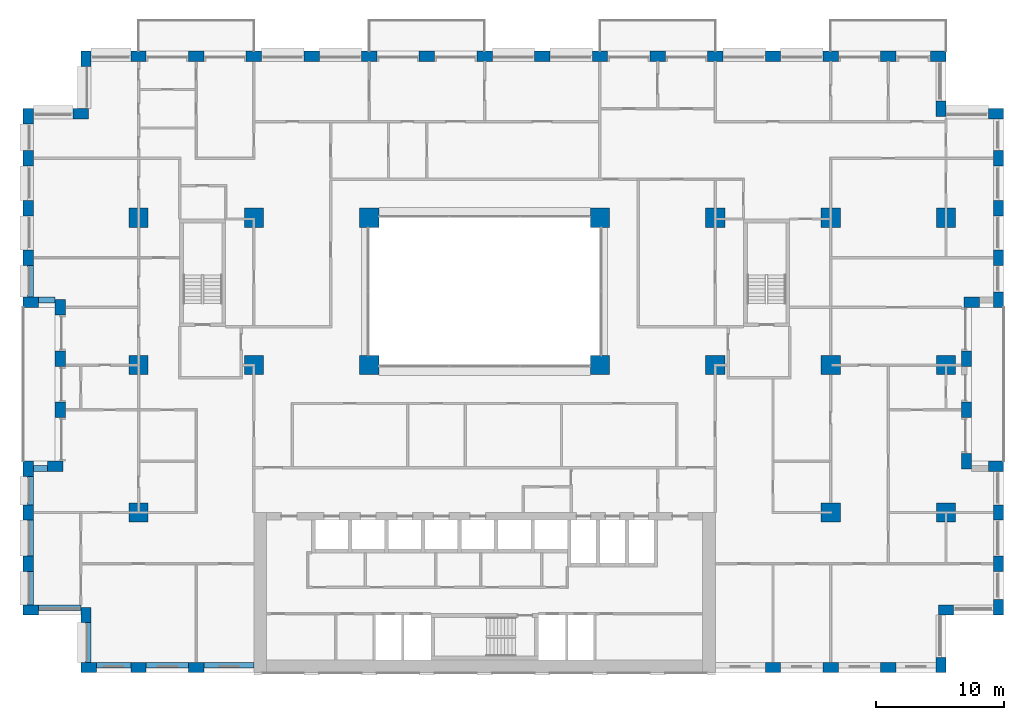
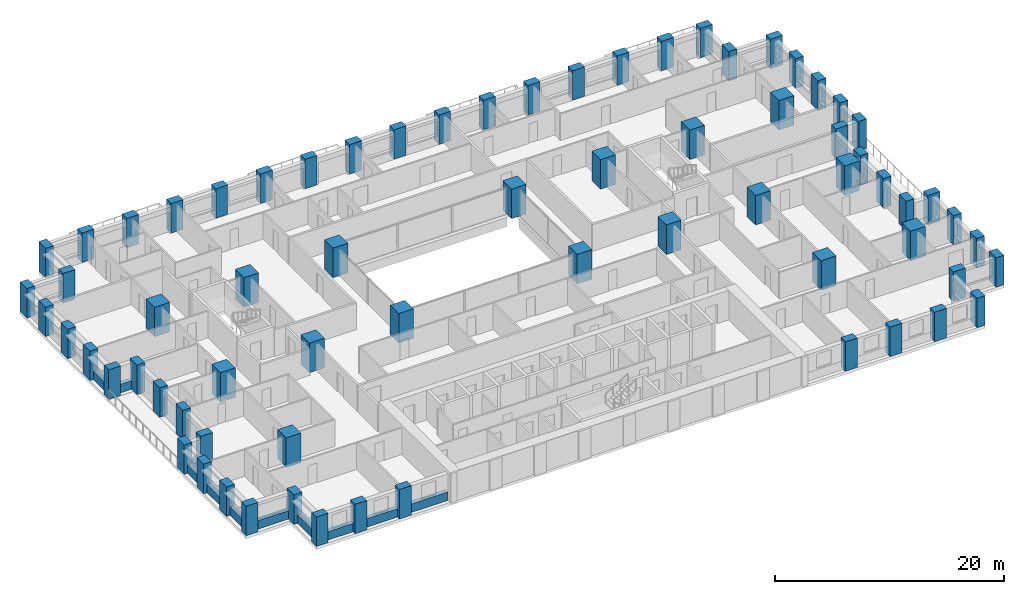
# One storey, part 1 of 20: 70 columns, 11 beams.
"""IFC4 building model written with IfcOpenShell, lengths in metres."""

from ifc_helpers import new_model, si_unit, direction, frame, origin, origin_2d, place, context, subcontext, project, spatial, rectangle, extrude, material, material_profile, profile_set, type_object, element, save


model = new_model("IFC4")

# Units and contexts
model_context = context("Model", 3, precision=1e-05, world=origin(), true_north=direction((0.0, 1.0)))
body_context = subcontext(model_context, "Body", "Model", "MODEL_VIEW")
ifc_project = project(units=[si_unit("LENGTHUNIT", "METRE"), si_unit("AREAUNIT", "SQUARE_METRE"), si_unit("VOLUMEUNIT", "CUBIC_METRE"), si_unit("PLANEANGLEUNIT", "RADIAN"), si_unit("MASSUNIT", "GRAM", prefix="KILO")], contexts=[model_context])

# Site, building, storey
site_placement = place(None, origin())
site = spatial("IfcSite", under=ifc_project, at=site_placement, CompositionType="ELEMENT")
building_placement = place(site_placement, origin())
building = spatial("IfcBuilding", under=site, at=building_placement, Name="Brigalow Station Residences", CompositionType="ELEMENT")
storey_placement = place(building_placement, frame((0.0, 0.0, 66.75)))
storey = spatial("IfcBuildingStorey", under=building, at=storey_placement, Name="L19", CompositionType="ELEMENT", Elevation=66.75)

# Columns
ifc_material_1 = material(Name="Concrete C80", Category="concrete")
ifc_material_profile_1 = material_profile(ifc_material_1, rectangle(XDim=1.5, YDim=1.5, at=origin_2d()), Name="RC1500x1500")
ifc_profile_set_1 = profile_set([ifc_material_profile_1], Name="Concrete C80")
column_type_1 = type_object("IfcColumnType", Name="COLUMN 1500x1500 C80", PredefinedType="COLUMN", material=ifc_profile_set_1)
for number, where, z_axis, x_axis, name in (
    (1, (9.0, 24.0, 0.0), (0.0, 0.0, 1.0), (1.0, 0.0, 0.0), "COLUMN C1 L19"),
    (2, (18.0, 24.0, 0.0), (0.0, 0.0, 1.0), (1.0, 0.0, 0.0), "COLUMN C2 L19"),
    (3, (27.0, 24.0, 0.0), (0.0, 0.0, 1.0), (1.0, 0.0, 0.0), "COLUMN C3 L19"),
    (4, (45.0, 24.0, 0.0), (0.0, 0.0, 1.0), (1.0, 0.0, 0.0), "COLUMN C5 L19"),
    (5, (54.0, 24.0, 0.0), (0.0, 0.0, 1.0), (1.0, 0.0, 0.0), "COLUMN C6 L19"),
    (6, (63.0, 24.0, 0.0), (0.0, 0.0, 1.0), (1.0, 0.0, 0.0), "COLUMN C7 L19"),
    (7, (72.0, 24.0, 0.0), (0.0, 0.0, 1.0), (1.0, 0.0, 0.0), "COLUMN C8 L19"),
    (8, (9.0, 35.5, 0.0), (0.0, 0.0, 1.0), (1.0, 0.0, 0.0), "COLUMN D1 L19"),
    (9, (18.0, 35.5, 0.0), (0.0, 0.0, 1.0), (1.0, 0.0, 0.0), "COLUMN D2 L19"),
    (10, (27.0, 35.5, 0.0), (0.0, 0.0, 1.0), (1.0, 0.0, 0.0), "COLUMN D3 L19"),
    (11, (45.0, 35.5, 0.0), (0.0, 0.0, 1.0), (1.0, 0.0, 0.0), "COLUMN D5 L19"),
    (12, (54.0, 35.5, 0.0), (0.0, 0.0, 1.0), (1.0, 0.0, 0.0), "COLUMN D6 L19"),
    (13, (63.0, 35.5, 0.0), (0.0, 0.0, 1.0), (1.0, 0.0, 0.0), "COLUMN D7 L19"),
    (14, (72.0, 35.5, 0.0), (0.0, 0.0, 1.0), (1.0, 0.0, 0.0), "COLUMN D8 L19"),
    (15, (9.0, 12.5, 0.0), (0.0, 0.0, 1.0), (1.0, 0.0, 0.0), "COLUMN B1 L19"),
    (16, (63.0, 12.5, 0.0), (0.0, 0.0, 1.0), (1.0, 0.0, 0.0), "COLUMN B7 L19"),
    (17, (72.0, 12.5, 0.0), (0.0, 0.0, 1.0), (1.0, 0.0, 0.0), "COLUMN B8 L19"),
):
    element("IfcColumn", number, at=place(storey_placement, frame(where, z_axis=z_axis, x_axis=x_axis)), inside=storey, type_object=column_type_1, Name=name, PredefinedType="COLUMN", context=body_context, shape_type="SweptSolid", body=[
        extrude(rectangle(XDim=1.5, YDim=1.5, at=origin_2d()), origin(), (0.0, 0.0, 1.0), 3.14990234375),
    ])
ifc_material_2 = material(Name="Concrete C80", Category="concrete")
ifc_material_profile_2 = material_profile(ifc_material_2, rectangle(XDim=1.199951171875, YDim=0.800048828125, at=origin_2d()), Name="RC1200x800")
ifc_profile_set_2 = profile_set([ifc_material_profile_2], Name="Concrete C80")
column_type_2 = type_object("IfcColumnType", Name="PIER 1200x800 C80", PredefinedType="USERDEFINED", material=ifc_profile_set_2)
for number, where, z_axis, x_axis, name in (
    (18, (5.10009765625, 0.39990234375, 0.0), (0.0, 0.0, 1.0), (1.0, 0.0, 0.0), "PIER S-1 L19"),
    (19, (9.0, 0.39990234375, 0.0), (0.0, 0.0, 1.0), (1.0, 0.0, 0.0), "PIER S-2 L19"),
    (20, (13.5, 0.39990234375, 0.0), (0.0, 0.0, 1.0), (1.0, 0.0, 0.0), "PIER S-3 L19"),
    (21, (58.5, 0.39990234375, 0.0), (0.0, 0.0, 1.0), (1.0, 0.0, 0.0), "PIER S-13 L19"),
    (22, (63.0, 0.39990234375, 0.0), (0.0, 0.0, 1.0), (1.0, 0.0, 0.0), "PIER S-14 L19"),
    (23, (67.5, 0.39990234375, 0.0), (0.0, 0.0, 1.0), (1.0, 0.0, 0.0), "PIER S-15 L19"),
    (24, (71.60009765625, 0.60009765625, 0.0), (0.0, 0.0, 1.0), (0.0, 1.0, 0.0), "PIER SE1-1 L19"),
    (25, (72.0, 4.89990234375, 0.0), (0.0, 0.0, 1.0), (1.0, 0.0, 0.0), "PIER SE2-1 L19"),
    (26, (76.10009765625, 5.10009765625, 0.0), (0.0, 0.0, 1.0), (0.0, 1.0, 0.0), "PIER E1-1 L19"),
    (27, (76.10009765625, 8.5, 0.0), (0.0, 0.0, 1.0), (0.0, 1.0, 0.0), "PIER E1-2 L19"),
    (28, (76.10009765625, 12.5, 0.0), (0.0, 0.0, 1.0), (0.0, 1.0, 0.0), "PIER E1-3 L19"),
    (29, (75.89990234375, 16.10009765625, 0.0), (0.0, 0.0, 1.0), (-1.0, 0.0, 0.0), "PIER EL1-1 L19"),
    (30, (73.60009765625, 16.5, 0.0), (0.0, 0.0, 1.0), (0.0, 1.0, 0.0), "PIER EL2-1 L19"),
    (31, (73.60009765625, 20.5, 0.0), (0.0, 0.0, 1.0), (0.0, 1.0, 0.0), "PIER EL2-2 L19"),
    (32, (73.60009765625, 24.5, 0.0), (0.0, 0.0, 1.0), (0.0, 1.0, 0.0), "PIER EL2-3 L19"),
    (33, (74.0, 28.89990234375, 0.0), (0.0, 0.0, 1.0), (1.0, 0.0, 0.0), "PIER EL3-1 L19"),
    (34, (76.10009765625, 29.10009765625, 0.0), (0.0, 0.0, 1.0), (0.0, 1.0, 0.0), "PIER E2-1 L19"),
    (35, (76.10009765625, 32.375, 0.0), (0.0, 0.0, 1.0), (0.0, 1.0, 0.0), "PIER E2-2 L19"),
    (36, (76.10009765625, 36.25, 0.0), (0.0, 0.0, 1.0), (0.0, 1.0, 0.0), "PIER E2-3 L19"),
    (37, (76.10009765625, 40.125, 0.0), (0.0, 0.0, 1.0), (0.0, 1.0, 0.0), "PIER E2-4 L19"),
    (38, (75.89990234375, 43.60009765625, 0.0), (0.0, 0.0, 1.0), (-1.0, 0.0, 0.0), "PIER NE1-1 L19"),
    (39, (71.60009765625, 44.0, 0.0), (0.0, 0.0, 1.0), (0.0, 1.0, 0.0), "PIER NE2-1 L19"),
    (40, (71.39990234375, 48.10009765625, 0.0), (0.0, 0.0, 1.0), (-1.0, 0.0, 0.0), "PIER N-1 L19"),
    (41, (67.5, 48.10009765625, 0.0), (0.0, 0.0, 1.0), (-1.0, 0.0, 0.0), "PIER N-2 L19"),
    (42, (63.0, 48.10009765625, 0.0), (0.0, 0.0, 1.0), (-1.0, 0.0, 0.0), "PIER N-3 L19"),
    (43, (58.5, 48.10009765625, 0.0), (0.0, 0.0, 1.0), (-1.0, 0.0, 0.0), "PIER N-4 L19"),
    (44, (54.0, 48.10009765625, 0.0), (0.0, 0.0, 1.0), (-1.0, 0.0, 0.0), "PIER N-5 L19"),
    (45, (49.5, 48.10009765625, 0.0), (0.0, 0.0, 1.0), (-1.0, 0.0, 0.0), "PIER N-6 L19"),
    (46, (45.0, 48.10009765625, 0.0), (0.0, 0.0, 1.0), (-1.0, 0.0, 0.0), "PIER N-7 L19"),
    (47, (40.5, 48.10009765625, 0.0), (0.0, 0.0, 1.0), (-1.0, 0.0, 0.0), "PIER N-8 L19"),
    (48, (36.0, 48.10009765625, 0.0), (0.0, 0.0, 1.0), (-1.0, 0.0, 0.0), "PIER N-9 L19"),
    (49, (31.5, 48.10009765625, 0.0), (0.0, 0.0, 1.0), (-1.0, 0.0, 0.0), "PIER N-10 L19"),
    (50, (27.0, 48.10009765625, 0.0), (0.0, 0.0, 1.0), (-1.0, 0.0, 0.0), "PIER N-11 L19"),
    (51, (22.5, 48.10009765625, 0.0), (0.0, 0.0, 1.0), (-1.0, 0.0, 0.0), "PIER N-12 L19"),
    (52, (18.0, 48.10009765625, 0.0), (0.0, 0.0, 1.0), (-1.0, 0.0, 0.0), "PIER N-13 L19"),
    (53, (13.5, 48.10009765625, 0.0), (0.0, 0.0, 1.0), (-1.0, 0.0, 0.0), "PIER N-14 L19"),
    (54, (9.0, 48.10009765625, 0.0), (0.0, 0.0, 1.0), (-1.0, 0.0, 0.0), "PIER N-15 L19"),
    (55, (4.89990234375, 47.89990234375, 0.0), (0.0, 0.0, 1.0), (0.0, -1.0, 0.0), "PIER NW1-1 L19"),
    (56, (4.5, 43.60009765625, 0.0), (0.0, 0.0, 1.0), (-1.0, 0.0, 0.0), "PIER NW2-1 L19"),
    (57, (0.39990234375, 43.39990234375, 0.0), (0.0, 0.0, 1.0), (0.0, -1.0, 0.0), "PIER W2-1 L19"),
    (58, (0.39990234375, 40.125, 0.0), (0.0, 0.0, 1.0), (0.0, -1.0, 0.0), "PIER W2-2 L19"),
    (59, (0.39990234375, 36.25, 0.0), (0.0, 0.0, 1.0), (0.0, -1.0, 0.0), "PIER W2-3 L19"),
    (60, (0.39990234375, 32.375, 0.0), (0.0, 0.0, 1.0), (0.0, -1.0, 0.0), "PIER W2-4 L19"),
    (61, (0.60009765625, 28.89990234375, 0.0), (0.0, 0.0, 1.0), (1.0, 0.0, 0.0), "PIER WL1-1 L19"),
    (62, (2.89990234375, 28.5, 0.0), (0.0, 0.0, 1.0), (0.0, -1.0, 0.0), "PIER WL2-1 L19"),
    (63, (2.89990234375, 24.5, 0.0), (0.0, 0.0, 1.0), (0.0, -1.0, 0.0), "PIER WL2-2 L19"),
    (64, (2.89990234375, 20.5, 0.0), (0.0, 0.0, 1.0), (0.0, -1.0, 0.0), "PIER WL2-3 L19"),
    (65, (2.5, 16.10009765625, 0.0), (0.0, 0.0, 1.0), (-1.0, 0.0, 0.0), "PIER WL3-1 L19"),
    (66, (0.39990234375, 15.89990234375, 0.0), (0.0, 0.0, 1.0), (0.0, -1.0, 0.0), "PIER W1-1 L19"),
    (67, (0.39990234375, 12.5, 0.0), (0.0, 0.0, 1.0), (0.0, -1.0, 0.0), "PIER W1-2 L19"),
    (68, (0.39990234375, 8.5, 0.0), (0.0, 0.0, 1.0), (0.0, -1.0, 0.0), "PIER W1-3 L19"),
    (69, (0.60009765625, 4.89990234375, 0.0), (0.0, 0.0, 1.0), (1.0, 0.0, 0.0), "PIER SW1-1 L19"),
    (70, (4.89990234375, 4.5, 0.0), (0.0, 0.0, 1.0), (0.0, -1.0, 0.0), "PIER SW2-1 L19"),
):
    element("IfcColumn", number, at=place(storey_placement, frame(where, z_axis=z_axis, x_axis=x_axis)), inside=storey, type_object=column_type_2, Name=name, ObjectType="PIER", PredefinedType="USERDEFINED", context=body_context, shape_type="SweptSolid", body=[
        extrude(rectangle(XDim=1.199951171875, YDim=0.800048828125, at=origin_2d()), origin(), (0.0, 0.0, 1.0), 3.14990234375),
    ])

# Beams
ifc_material_3 = material(Name="Concrete C65", Category="concrete")
ifc_material_profile_3 = material_profile(ifc_material_3, rectangle(XDim=0.449951171875, YDim=0.89990234375, at=origin_2d()), Name="RC450x900")
ifc_profile_set_3 = profile_set([ifc_material_profile_3], Name="Concrete C65")
beam_type = type_object("IfcBeamType", Name="SPANDREL BEAM 450x900 C65", PredefinedType="SPANDREL", material=ifc_profile_set_3)
beam_1_placement = place(storey_placement, frame((5.699951171875, 0.574951171875, 0.449951171875), z_axis=(1.0, 0.0, 0.0), x_axis=(0.0, 1.0, 0.0)))
element("IfcBeam", 71, at=beam_1_placement, inside=storey, type_object=beam_type, Name="L19/spandrel/W-L19-1", PredefinedType="SPANDREL", context=body_context, shape_type="SweptSolid", body=[
    extrude(rectangle(XDim=0.449951171875, YDim=0.89990234375, at=origin_2d()), origin(), (0.0, 0.0, 1.0), 2.699951171875),
])
beam_2_placement = place(storey_placement, frame((9.60009765625, 0.574951171875, 0.449951171875), z_axis=(1.0, 0.0, 0.0), x_axis=(0.0, 1.0, 0.0)))
element("IfcBeam", 72, at=beam_2_placement, inside=storey, type_object=beam_type, Name="L19/spandrel/W-L19-2", PredefinedType="SPANDREL", context=body_context, shape_type="SweptSolid", body=[
    extrude(rectangle(XDim=0.449951171875, YDim=0.89990234375, at=origin_2d()), origin(), (0.0, 0.0, 1.0), 3.2998046875),
])
beam_3_placement = place(storey_placement, frame((14.10009765625, 0.574951171875, 0.449951171875), z_axis=(1.0, 0.0, 0.0), x_axis=(0.0, 1.0, 0.0)))
element("IfcBeam", 73, at=beam_3_placement, inside=storey, type_object=beam_type, Name="L19/spandrel/W-L19-3", PredefinedType="SPANDREL", context=body_context, shape_type="SweptSolid", body=[
    extrude(rectangle(XDim=0.449951171875, YDim=0.89990234375, at=origin_2d()), origin(), (0.0, 0.0, 1.0), 3.89990234375),
])
beam_4_placement = place(storey_placement, frame((0.574951171875, 31.77490234375, 0.449951171875), z_axis=(0.0, -1.0, 0.0), x_axis=(1.0, 0.0, 0.0)))
element("IfcBeam", 74, at=beam_4_placement, inside=storey, type_object=beam_type, Name="L19/spandrel/W-L19-45", PredefinedType="SPANDREL", context=body_context, shape_type="SweptSolid", body=[
    extrude(rectangle(XDim=0.449951171875, YDim=0.89990234375, at=origin_2d()), origin(), (0.0, 0.0, 1.0), 2.474853515625),
])
beam_5_placement = place(storey_placement, frame((1.199951171875, 29.074951171875, 0.449951171875), z_axis=(1.0, 0.0, 0.0), x_axis=(0.0, 1.0, 0.0)))
element("IfcBeam", 75, at=beam_5_placement, inside=storey, type_object=beam_type, Name="L19/spandrel/W-L19-46", PredefinedType="SPANDREL", context=body_context, shape_type="SweptSolid", body=[
    extrude(rectangle(XDim=0.449951171875, YDim=0.89990234375, at=origin_2d()), origin(), (0.0, 0.0, 1.0), 1.300048828125),
])
beam_6_placement = place(storey_placement, frame((1.89990234375, 15.925048828125, 0.449951171875), z_axis=(-1.0, 0.0, 0.0), x_axis=(0.0, -1.0, 0.0)))
element("IfcBeam", 76, at=beam_6_placement, inside=storey, type_object=beam_type, Name="L19/spandrel/W-L19-50", PredefinedType="SPANDREL", context=body_context, shape_type="SweptSolid", body=[
    extrude(rectangle(XDim=0.449951171875, YDim=0.89990234375, at=origin_2d()), origin(), (0.0, 0.0, 1.0), 1.099853515625),
])
beam_7_placement = place(storey_placement, frame((0.574951171875, 15.300048828125, 0.449951171875), z_axis=(0.0, -1.0, 0.0), x_axis=(1.0, 0.0, 0.0)))
element("IfcBeam", 77, at=beam_7_placement, inside=storey, type_object=beam_type, Name="L19/spandrel/W-L19-51", PredefinedType="SPANDREL", context=body_context, shape_type="SweptSolid", body=[
    extrude(rectangle(XDim=0.449951171875, YDim=0.89990234375, at=origin_2d()), origin(), (0.0, 0.0, 1.0), 2.199951171875),
])
beam_8_placement = place(storey_placement, frame((0.574951171875, 11.89990234375, 0.449951171875), z_axis=(0.0, -1.0, 0.0), x_axis=(1.0, 0.0, 0.0)))
element("IfcBeam", 78, at=beam_8_placement, inside=storey, type_object=beam_type, Name="L19/spandrel/W-L19-52", PredefinedType="SPANDREL", context=body_context, shape_type="SweptSolid", body=[
    extrude(rectangle(XDim=0.449951171875, YDim=0.89990234375, at=origin_2d()), origin(), (0.0, 0.0, 1.0), 2.7998046875),
])
beam_9_placement = place(storey_placement, frame((0.574951171875, 7.89990234375, 0.449951171875), z_axis=(0.0, -1.0, 0.0), x_axis=(1.0, 0.0, 0.0)))
element("IfcBeam", 79, at=beam_9_placement, inside=storey, type_object=beam_type, Name="L19/spandrel/W-L19-53", PredefinedType="SPANDREL", context=body_context, shape_type="SweptSolid", body=[
    extrude(rectangle(XDim=0.449951171875, YDim=0.89990234375, at=origin_2d()), origin(), (0.0, 0.0, 1.0), 2.599853515625),
])
beam_10_placement = place(storey_placement, frame((1.199951171875, 5.074951171875, 0.449951171875), z_axis=(1.0, 0.0, 0.0), x_axis=(0.0, 1.0, 0.0)))
element("IfcBeam", 80, at=beam_10_placement, inside=storey, type_object=beam_type, Name="L19/spandrel/W-L19-54", PredefinedType="SPANDREL", context=body_context, shape_type="SweptSolid", body=[
    extrude(rectangle(XDim=0.449951171875, YDim=0.89990234375, at=origin_2d()), origin(), (0.0, 0.0, 1.0), 3.300048828125),
])
beam_11_placement = place(storey_placement, frame((5.074951171875, 3.89990234375, 0.449951171875), z_axis=(0.0, -1.0, 0.0), x_axis=(1.0, 0.0, 0.0)))
element("IfcBeam", 81, at=beam_11_placement, inside=storey, type_object=beam_type, Name="L19/spandrel/W-L19-55", PredefinedType="SPANDREL", context=body_context, shape_type="SweptSolid", body=[
    extrude(rectangle(XDim=0.449951171875, YDim=0.89990234375, at=origin_2d()), origin(), (0.0, 0.0, 1.0), 3.099853515625),
])

save(model, "model.ifc")
